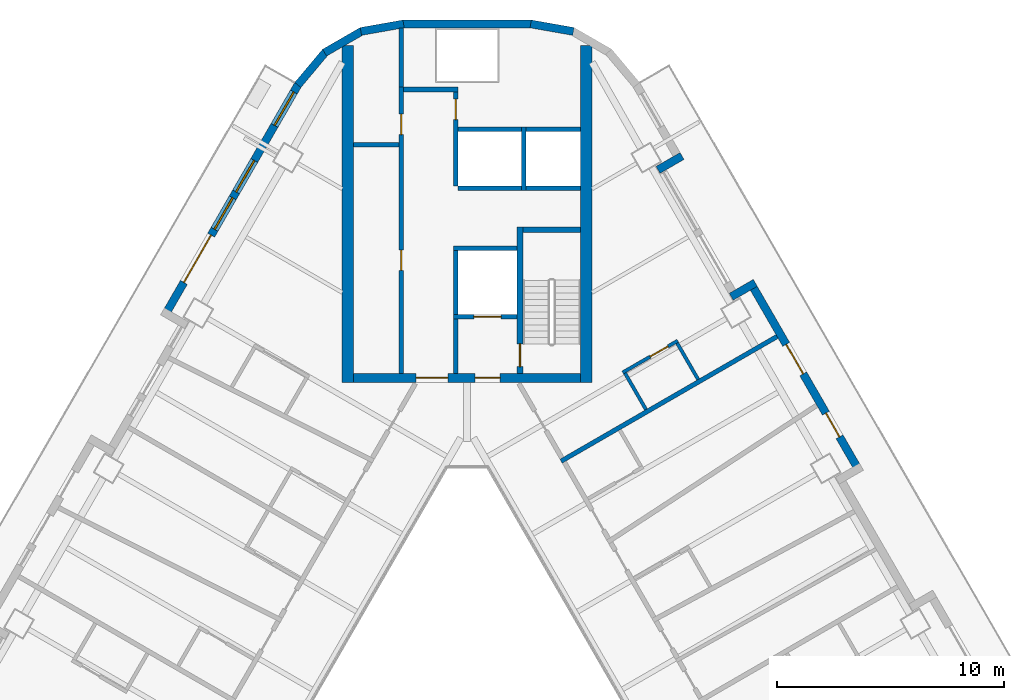
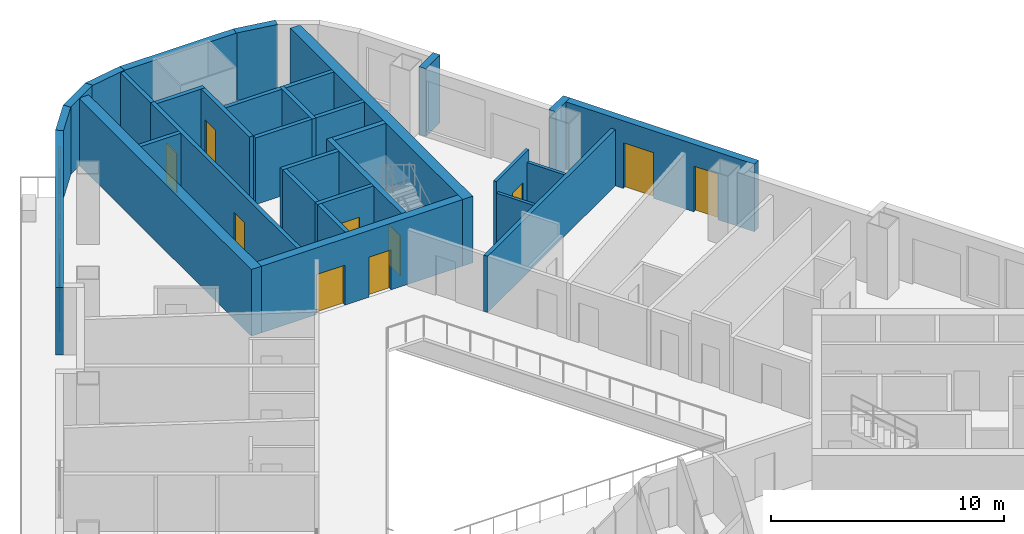
# One storey, part 7 of 14: 32 walls, 11 doors, 3 windows, 14 openings.
"""IFC4 building model written with IfcOpenShell, lengths in metres."""

from ifc_helpers import new_model, si_unit, direction, frame, frame_2d, origin, place, context, subcontext, project, spatial, rectangle, extrude, material, layer, layer_set, type_object, element, fill, save


model = new_model("IFC4")

# Units and contexts
model_context = context("Model", 3, precision=1e-05, world=origin(), true_north=direction((0.0, 1.0)))
body_context = subcontext(model_context, "Body", "Model", "MODEL_VIEW")
ifc_project = project(units=[si_unit("LENGTHUNIT", "METRE"), si_unit("AREAUNIT", "SQUARE_METRE"), si_unit("VOLUMEUNIT", "CUBIC_METRE"), si_unit("PLANEANGLEUNIT", "RADIAN"), si_unit("MASSUNIT", "GRAM", prefix="KILO")], contexts=[model_context])

# Site, building, storey
site_placement = place(None, origin())
site = spatial("IfcSite", under=ifc_project, at=site_placement, CompositionType="ELEMENT")
building_placement = place(site_placement, origin())
building = spatial("IfcBuilding", under=site, at=building_placement, Name="Apuvela Tower Hotel", CompositionType="ELEMENT")
storey_placement = place(building_placement, frame((0.0, 0.0, 50.199951171875)))
storey = spatial("IfcBuildingStorey", under=building, at=storey_placement, Name="L09", CompositionType="ELEMENT", Elevation=50.199951171875)

# Wall, openings, doors
ifc_material_1 = material(Name="Concrete C50/60", Category="concrete")
ifc_layer_1 = layer(ifc_material_1, 0.39990234375)
ifc_layer_set_1 = layer_set([ifc_layer_1], Name="COR-WALL-CORE-400")
wall_type_1 = type_object("IfcWallType", Name="COR-WALL-CORE-400", PredefinedType="SHEAR", material=ifc_layer_set_1)
wall_1_placement = place(storey_placement, frame((5.0, 13.10009765625, 0.0), z_axis=(0.0, 0.0, 1.0), x_axis=(-1.0, 0.0, 0.0)))
wall_1 = element("IfcWall", 1, at=wall_1_placement, inside=storey, type_object=wall_type_1, Name="Core wall N", PredefinedType="SHEAR", context=body_context, shape_type="SweptSolid", body=[
    extrude(rectangle(XDim=10.0, YDim=0.39990234375, at=frame_2d((5.0, 0.0))), origin(), (0.0, 0.0, 1.0), 3.5),
])
opening_1_placement = place(wall_1_placement, frame((3.550048828125, 0.0, 0.0)))
opening_1 = element("IfcOpeningElement", 2, at=opening_1_placement, cuts=wall_1, Name="Opening N-FD", PredefinedType="OPENING", context=body_context, shape_type="SweptSolid", body=[
    extrude(rectangle(XDim=1.10009765625, YDim=2.10009765625, at=frame_2d((0.550048828125, 1.050048828125))), frame((0.0, 0.2099609375, 0.0), z_axis=(0.0, -1.0, 0.0), x_axis=(1.0, 0.0, 0.0)), (0.0, 0.0, 1.0), 0.419921875),
])
opening_2_placement = place(wall_1_placement, frame((5.85009765625, 0.0, 0.0)))
opening_2 = element("IfcOpeningElement", 3, at=opening_2_placement, cuts=wall_1, Name="Opening N-GD", PredefinedType="OPENING", context=body_context, shape_type="SweptSolid", body=[
    extrude(rectangle(XDim=1.39990234375, YDim=2.10009765625, at=frame_2d((0.699951171875, 1.050048828125))), frame((0.0, 0.2099609375, 0.0), z_axis=(0.0, -1.0, 0.0), x_axis=(1.0, 0.0, 0.0)), (0.0, 0.0, 1.0), 0.419921875),
])
ifc_material_2 = material(Name="Steel fire door, powder coated", Category="steel")
door_type_1 = type_object("IfcDoorType", Name="COR-FD-1100", OperationType="NOTDEFINED", PredefinedType="DOOR", material=ifc_material_2)
door_1_placement = place(opening_1_placement, frame((1.10009765625, 0.0, 0.0), z_axis=(0.0, 0.0, 1.0), x_axis=(-1.0, 0.0, 0.0)))
door_1 = element("IfcDoor", 4, at=door_1_placement, inside=storey, type_object=door_type_1, Name="Firefighting lobby door N-FD", OperationType="SINGLE_SWING_LEFT", OverallHeight=2.10009765625, OverallWidth=1.10009765625, PredefinedType="DOOR", context=body_context, shape_type="SweptSolid", body=[
    extrude(rectangle(XDim=1.10009765625, YDim=2.10009765625, at=frame_2d((0.550048828125, 1.050048828125))), frame((0.0, 0.02490234375, 0.0), z_axis=(0.0, -1.0, 0.0), x_axis=(1.0, 0.0, 0.0)), (0.0, 0.0, 1.0), 0.050048828125),
])
fill(opening_1, door_1)
ifc_material_3 = material(Name="Glazed steel fire door", Category="steel")
door_type_2 = type_object("IfcDoorType", Name="COR-GD-1400", OperationType="DOUBLE_DOOR_SINGLE_SWING", PredefinedType="DOOR", material=ifc_material_3)
door_2_placement = place(opening_2_placement, frame((1.39990234375, 0.0, 0.0), z_axis=(0.0, 0.0, 1.0), x_axis=(-1.0, 0.0, 0.0)))
door_2 = element("IfcDoor", 5, at=door_2_placement, inside=storey, type_object=door_type_2, Name="Lift lobby door N-GD", OperationType="DOUBLE_DOOR_SINGLE_SWING", OverallHeight=2.10009765625, OverallWidth=1.39990234375, PredefinedType="DOOR", context=body_context, shape_type="SweptSolid", body=[
    extrude(rectangle(XDim=1.39990234375, YDim=2.10009765625, at=frame_2d((0.699951171875, 1.050048828125))), frame((0.0, 0.02490234375, 0.0), z_axis=(0.0, -1.0, 0.0), x_axis=(1.0, 0.0, 0.0)), (0.0, 0.0, 1.0), 0.050048828125),
])
fill(opening_2, door_2)

# Walls
ifc_layer_2 = layer(ifc_material_1, 0.5)
ifc_layer_set_2 = layer_set([ifc_layer_2], Name="COR-WALL-CORE-500")
wall_type_2 = type_object("IfcWallType", Name="COR-WALL-CORE-500", PredefinedType="SHEAR", material=ifc_layer_set_2)
for number, where, z_axis, x_axis, name in (
    (6, (5.25, 12.89990234375, 0.0), (0.0, 0.0, 1.0), (0.0, 1.0, 0.0), "Core wall N"),
    (7, (-5.25, 12.89990234375, 0.0), (0.0, 0.0, 1.0), (0.0, 1.0, 0.0), "Core wall N"),
):
    element("IfcWall", number, at=place(storey_placement, frame(where, z_axis=z_axis, x_axis=x_axis)), inside=storey, type_object=wall_type_2, Name=name, PredefinedType="SHEAR", context=body_context, shape_type="SweptSolid", body=[
        extrude(rectangle(XDim=14.8369140625, YDim=0.5, at=frame_2d((7.41845703125, 0.0))), origin(), (0.0, 0.0, 1.0), 3.5),
    ])
ifc_material_4 = material(Name="Blockwork 200 mm plastered", Category="masonry")
ifc_layer_3 = layer(ifc_material_4, 0.199951171875)
ifc_layer_set_3 = layer_set([ifc_layer_3], Name="COR-WALL-PART-200")
wall_type_3 = type_object("IfcWallType", Name="COR-WALL-PART-200", PredefinedType="PARTITIONING", material=ifc_layer_set_3)
wall_2_placement = place(storey_placement, frame((5.0, 21.449951171875, 0.0), z_axis=(0.0, 0.0, 1.0), x_axis=(-1.0, 0.0, 0.0)))
element("IfcWall", 8, at=wall_2_placement, inside=storey, type_object=wall_type_3, Name="Partition N", PredefinedType="PARTITIONING", context=body_context, shape_type="SweptSolid", body=[
    extrude(rectangle(XDim=2.39990234375, YDim=0.199951171875, at=frame_2d((1.199951171875, 0.0))), origin(), (0.0, 0.0, 1.0), 3.5),
])
wall_3_placement = place(storey_placement, frame((2.39990234375, 21.449951171875, 0.0), z_axis=(0.0, 0.0, 1.0), x_axis=(-1.0, 0.0, 0.0)))
element("IfcWall", 9, at=wall_3_placement, inside=storey, type_object=wall_type_3, Name="Partition N", PredefinedType="PARTITIONING", context=body_context, shape_type="SweptSolid", body=[
    extrude(rectangle(XDim=2.7998046875, YDim=0.199951171875, at=frame_2d((1.39990234375, 0.0))), origin(), (0.0, 0.0, 1.0), 3.5),
])
ifc_layer_4 = layer(ifc_material_1, 0.199951171875)
ifc_layer_set_4 = layer_set([ifc_layer_4], Name="COR-WALL-SHAFT-200")
wall_type_4 = type_object("IfcWallType", Name="COR-WALL-SHAFT-200", PredefinedType="SHEAR", material=ifc_layer_set_4)
wall_4_placement = place(storey_placement, frame((2.199951171875, 18.800048828125, 0.0), z_axis=(0.0, 0.0, 1.0), x_axis=(-1.0, 0.0, 0.0)))
element("IfcWall", 10, at=wall_4_placement, inside=storey, type_object=wall_type_4, Name="Shaft wall N", PredefinedType="SHEAR", context=body_context, shape_type="SweptSolid", body=[
    extrude(rectangle(XDim=2.800048828125, YDim=0.199951171875, at=frame_2d((1.39990234375, 0.0))), origin(), (0.0, 0.0, 1.0), 3.5),
])

# Wall, opening, door
wall_5_placement = place(storey_placement, frame((2.199951171875, 15.800048828125, 0.0), z_axis=(0.0, 0.0, 1.0), x_axis=(-1.0, 0.0, 0.0)))
wall_5 = element("IfcWall", 11, at=wall_5_placement, inside=storey, type_object=wall_type_4, Name="Shaft wall N", PredefinedType="SHEAR", context=body_context, shape_type="SweptSolid", body=[
    extrude(rectangle(XDim=2.800048828125, YDim=0.199951171875, at=frame_2d((1.39990234375, 0.0))), origin(), (0.0, 0.0, 1.0), 3.5),
])
opening_3_placement = place(wall_5_placement, frame((0.699951171875, 0.0, 0.0)))
opening_3 = element("IfcOpeningElement", 12, at=opening_3_placement, cuts=wall_5, Name="Opening N-LD-FS1", PredefinedType="OPENING", context=body_context, shape_type="SweptSolid", body=[
    extrude(rectangle(XDim=1.199951171875, YDim=2.10009765625, at=frame_2d((0.60009765625, 1.050048828125))), frame((0.0, 0.10986328125, 0.0), z_axis=(0.0, -1.0, 0.0), x_axis=(1.0, 0.0, 0.0)), (0.0, 0.0, 1.0), 0.219970703125),
])
ifc_material_5 = material(Name="Stainless steel lift landing door", Category="steel")
door_type_3 = type_object("IfcDoorType", Name="COR-LD-1200", OperationType="DOUBLE_DOOR_SLIDING", PredefinedType="DOOR", material=ifc_material_5)
door_3_placement = place(opening_3_placement, origin())
door_3 = element("IfcDoor", 13, at=door_3_placement, inside=storey, type_object=door_type_3, Name="Lift landing door N-LD-FS1", OperationType="DOUBLE_DOOR_SLIDING", OverallHeight=2.10009765625, OverallWidth=1.199951171875, PredefinedType="DOOR", context=body_context, shape_type="SweptSolid", body=[
    extrude(rectangle(XDim=1.199951171875, YDim=2.10009765625, at=frame_2d((0.60009765625, 1.050048828125))), frame((0.0, 0.02490234375, 0.0), z_axis=(0.0, -1.0, 0.0), x_axis=(1.0, 0.0, 0.0)), (0.0, 0.0, 1.0), 0.050048828125),
])
fill(opening_3, door_3)

# Walls
wall_6_placement = place(storey_placement, frame((-0.5, 15.89990234375, 0.0), z_axis=(0.0, 0.0, 1.0), x_axis=(0.0, 1.0, 0.0)))
element("IfcWall", 14, at=wall_6_placement, inside=storey, type_object=wall_type_4, Name="Shaft wall N", PredefinedType="SHEAR", context=body_context, shape_type="SweptSolid", body=[
    extrude(rectangle(XDim=2.800048828125, YDim=0.199951171875, at=frame_2d((1.39990234375, 0.0))), origin(), (0.0, 0.0, 1.0), 3.5),
])
wall_7_placement = place(storey_placement, frame((-0.5, 13.300048828125, 0.0), z_axis=(0.0, 0.0, 1.0), x_axis=(0.0, 1.0, 0.0)))
element("IfcWall", 15, at=wall_7_placement, inside=storey, type_object=wall_type_4, Name="Shaft wall N", PredefinedType="SHEAR", context=body_context, shape_type="SweptSolid", body=[
    extrude(rectangle(XDim=2.39990234375, YDim=0.199951171875, at=frame_2d((1.199951171875, 0.0))), origin(), (0.0, 0.0, 1.0), 3.5),
])

# Wall, openings, doors
wall_8_placement = place(storey_placement, frame((-2.89990234375, 13.300048828125, 0.0), z_axis=(0.0, 0.0, 1.0), x_axis=(0.0, 1.0, 0.0)))
wall_8 = element("IfcWall", 16, at=wall_8_placement, inside=storey, type_object=wall_type_4, Name="Shaft wall N", PredefinedType="SHEAR", context=body_context, shape_type="SweptSolid", body=[
    extrude(rectangle(XDim=12.599853515625, YDim=0.199951171875, at=frame_2d((6.2998046875, 0.0))), origin(), (0.0, 0.0, 1.0), 3.5),
])
opening_4_placement = place(wall_8_placement, frame((4.530029296875, 0.0, 0.0)))
opening_4 = element("IfcOpeningElement", 17, at=opening_4_placement, cuts=wall_8, Name="Opening N-RE1", PredefinedType="OPENING", context=body_context, shape_type="SweptSolid", body=[
    extrude(rectangle(XDim=0.89990234375, YDim=2.10009765625, at=frame_2d((0.449951171875, 1.050048828125))), frame((0.0, 0.10986328125, 0.0), z_axis=(0.0, -1.0, 0.0), x_axis=(1.0, 0.0, 0.0)), (0.0, 0.0, 1.0), 0.219970703125),
])
opening_5_placement = place(wall_8_placement, frame((10.510009765625, 0.0, 0.0)))
opening_5 = element("IfcOpeningElement", 18, at=opening_5_placement, cuts=wall_8, Name="Opening N-REP", PredefinedType="OPENING", context=body_context, shape_type="SweptSolid", body=[
    extrude(rectangle(XDim=0.89990234375, YDim=2.10009765625, at=frame_2d((0.449951171875, 1.050048828125))), frame((0.0, 0.10986328125, 0.0), z_axis=(0.0, -1.0, 0.0), x_axis=(1.0, 0.0, 0.0)), (0.0, 0.0, 1.0), 0.219970703125),
])
door_type_4 = type_object("IfcDoorType", Name="COR-DR-900", OperationType="NOTDEFINED", PredefinedType="DOOR", material=ifc_material_2)
door_4_placement = place(opening_4_placement, origin())
door_4 = element("IfcDoor", 19, at=door_4_placement, inside=storey, type_object=door_type_4, Name="Store door N-RE1", OperationType="SINGLE_SWING_LEFT", OverallHeight=2.10009765625, OverallWidth=0.89990234375, PredefinedType="DOOR", context=body_context, shape_type="SweptSolid", body=[
    extrude(rectangle(XDim=0.89990234375, YDim=2.10009765625, at=frame_2d((0.449951171875, 1.050048828125))), frame((0.0, 0.02490234375, 0.0), z_axis=(0.0, -1.0, 0.0), x_axis=(1.0, 0.0, 0.0)), (0.0, 0.0, 1.0), 0.050048828125),
])
fill(opening_4, door_4)
door_5_placement = place(opening_5_placement, origin())
door_5 = element("IfcDoor", 20, at=door_5_placement, inside=storey, type_object=door_type_4, Name="Store door N-REP", OperationType="SINGLE_SWING_RIGHT", OverallHeight=2.10009765625, OverallWidth=0.89990234375, PredefinedType="DOOR", context=body_context, shape_type="SweptSolid", body=[
    extrude(rectangle(XDim=0.89990234375, YDim=2.10009765625, at=frame_2d((0.449951171875, 1.050048828125))), frame((0.0, 0.02490234375, 0.0), z_axis=(0.0, -1.0, 0.0), x_axis=(1.0, 0.0, 0.0)), (0.0, 0.0, 1.0), 0.050048828125),
])
fill(opening_5, door_5)

# Wall
wall_9_placement = place(storey_placement, frame((-0.39990234375, 25.800048828125, 0.0), z_axis=(0.0, 0.0, 1.0), x_axis=(-1.0, 0.0, 0.0)))
element("IfcWall", 21, at=wall_9_placement, inside=storey, type_object=wall_type_4, Name="Shaft wall N", PredefinedType="SHEAR", context=body_context, shape_type="SweptSolid", body=[
    extrude(rectangle(XDim=2.400146484375, YDim=0.199951171875, at=frame_2d((1.2001953125, 0.0))), origin(), (0.0, 0.0, 1.0), 3.5),
])

# Wall, opening, door
wall_10_placement = place(storey_placement, frame((-0.5, 21.550048828125, 0.0), z_axis=(0.0, 0.0, 1.0), x_axis=(0.0, 1.0, 0.0)))
wall_10 = element("IfcWall", 22, at=wall_10_placement, inside=storey, type_object=wall_type_4, Name="Shaft wall N", PredefinedType="SHEAR", context=body_context, shape_type="SweptSolid", body=[
    extrude(rectangle(XDim=4.14990234375, YDim=0.199951171875, at=frame_2d((2.074951171875, 0.0))), origin(), (0.0, 0.0, 1.0), 3.5),
])
opening_6_placement = place(wall_10_placement, frame((2.925048828125, 0.0, 0.0)))
opening_6 = element("IfcOpeningElement", 23, at=opening_6_placement, cuts=wall_10, Name="Opening N-RSP", PredefinedType="OPENING", context=body_context, shape_type="SweptSolid", body=[
    extrude(rectangle(XDim=0.89990234375, YDim=2.10009765625, at=frame_2d((0.449951171875, 1.050048828125))), frame((0.0, 0.10986328125, 0.0), z_axis=(0.0, -1.0, 0.0), x_axis=(1.0, 0.0, 0.0)), (0.0, 0.0, 1.0), 0.219970703125),
])
door_6_placement = place(opening_6_placement, frame((0.89990234375, 0.0, 0.0), z_axis=(0.0, 0.0, 1.0), x_axis=(-1.0, 0.0, 0.0)))
door_6 = element("IfcDoor", 24, at=door_6_placement, inside=storey, type_object=door_type_4, Name="Store door N-RSP", OperationType="SINGLE_SWING_LEFT", OverallHeight=2.10009765625, OverallWidth=0.89990234375, PredefinedType="DOOR", context=body_context, shape_type="SweptSolid", body=[
    extrude(rectangle(XDim=0.89990234375, YDim=2.10009765625, at=frame_2d((0.449951171875, 1.050048828125))), frame((0.0, 0.02490234375, 0.0), z_axis=(0.0, -1.0, 0.0), x_axis=(1.0, 0.0, 0.0)), (0.0, 0.0, 1.0), 0.050048828125),
])
fill(opening_6, door_6)

# Walls
wall_11_placement = place(storey_placement, frame((-3.0, 23.360107421875, 0.0), z_axis=(0.0, 0.0, 1.0), x_axis=(-1.0, 0.0, 0.0)))
element("IfcWall", 25, at=wall_11_placement, inside=storey, type_object=wall_type_4, Name="Shaft wall N", PredefinedType="SHEAR", context=body_context, shape_type="SweptSolid", body=[
    extrude(rectangle(XDim=2.0, YDim=0.199951171875, at=frame_2d((1.0, 0.0))), origin(), (0.0, 0.0, 1.0), 3.5),
])
wall_12_placement = place(storey_placement, frame((-2.89990234375, 25.89990234375, 0.0), z_axis=(0.0, 0.0, 1.0), x_axis=(0.0, 1.0, 0.0)))
element("IfcWall", 26, at=wall_12_placement, inside=storey, type_object=wall_type_4, Name="Shaft wall N", PredefinedType="SHEAR", context=body_context, shape_type="SweptSolid", body=[
    extrude(rectangle(XDim=2.60009765625, YDim=0.199951171875, at=frame_2d((1.300048828125, 0.0))), origin(), (0.0, 0.0, 1.0), 3.5),
])
wall_13_placement = place(storey_placement, frame((2.5, 21.35009765625, 0.0), z_axis=(0.0, 0.0, 1.0), x_axis=(0.0, 1.0, 0.0)))
element("IfcWall", 27, at=wall_13_placement, inside=storey, type_object=wall_type_4, Name="Shaft wall N", PredefinedType="SHEAR", context=body_context, shape_type="SweptSolid", body=[
    extrude(rectangle(XDim=2.7998046875, YDim=0.199951171875, at=frame_2d((1.39990234375, 0.0))), origin(), (0.0, 0.0, 1.0), 3.5),
])
wall_14_placement = place(storey_placement, frame((5.0, 24.050048828125, 0.0), z_axis=(0.0, 0.0, 1.0), x_axis=(-1.0, 0.0, 0.0)))
element("IfcWall", 28, at=wall_14_placement, inside=storey, type_object=wall_type_4, Name="Shaft wall N", PredefinedType="SHEAR", context=body_context, shape_type="SweptSolid", body=[
    extrude(rectangle(XDim=2.39990234375, YDim=0.199951171875, at=frame_2d((1.199951171875, 0.0))), origin(), (0.0, 0.0, 1.0), 3.5),
])
wall_15_placement = place(storey_placement, frame((2.39990234375, 24.050048828125, 0.0), z_axis=(0.0, 0.0, 1.0), x_axis=(-1.0, 0.0, 0.0)))
element("IfcWall", 29, at=wall_15_placement, inside=storey, type_object=wall_type_4, Name="Shaft wall N", PredefinedType="SHEAR", context=body_context, shape_type="SweptSolid", body=[
    extrude(rectangle(XDim=2.7998046875, YDim=0.199951171875, at=frame_2d((1.39990234375, 0.0))), origin(), (0.0, 0.0, 1.0), 3.5),
])

# Wall, opening, door
ifc_layer_5 = layer(ifc_material_1, 0.25)
ifc_layer_set_5 = layer_set([ifc_layer_5], Name="COR-WALL-STAIR-250")
wall_type_5 = type_object("IfcWallType", Name="COR-WALL-STAIR-250", PredefinedType="SHEAR", material=ifc_layer_set_5)
wall_16_placement = place(storey_placement, frame((2.324951171875, 13.300048828125, 0.0), z_axis=(0.0, 0.0, 1.0), x_axis=(0.0, 1.0, 0.0)))
wall_16 = element("IfcWall", 30, at=wall_16_placement, inside=storey, type_object=wall_type_5, Name="Stair wall N", PredefinedType="SHEAR", context=body_context, shape_type="SweptSolid", body=[
    extrude(rectangle(XDim=6.449951171875, YDim=0.25, at=frame_2d((3.22509765625, 0.0))), origin(), (0.0, 0.0, 1.0), 3.5),
])
opening_7_placement = place(wall_16_placement, frame((0.300048828125, 0.0, 0.0)))
opening_7 = element("IfcOpeningElement", 31, at=opening_7_placement, cuts=wall_16, Name="Opening N-SD", PredefinedType="OPENING", context=body_context, shape_type="SweptSolid", body=[
    extrude(rectangle(XDim=1.0, YDim=2.10009765625, at=frame_2d((0.5, 1.050048828125))), frame((0.0, 0.135009765625, 0.0), z_axis=(0.0, -1.0, 0.0), x_axis=(1.0, 0.0, 0.0)), (0.0, 0.0, 1.0), 0.27001953125),
])
door_type_5 = type_object("IfcDoorType", Name="COR-SD-1000", OperationType="NOTDEFINED", PredefinedType="DOOR", material=ifc_material_2)
door_7_placement = place(opening_7_placement, frame((1.0, 0.0, 0.0), z_axis=(0.0, 0.0, 1.0), x_axis=(-1.0, 0.0, 0.0)))
door_7 = element("IfcDoor", 32, at=door_7_placement, inside=storey, type_object=door_type_5, Name="Stair door N-SD", OperationType="SINGLE_SWING_LEFT", OverallHeight=2.10009765625, OverallWidth=1.0, PredefinedType="DOOR", context=body_context, shape_type="SweptSolid", body=[
    extrude(rectangle(XDim=1.0, YDim=2.10009765625, at=frame_2d((0.5, 1.050048828125))), frame((0.0, 0.02490234375, 0.0), z_axis=(0.0, -1.0, 0.0), x_axis=(1.0, 0.0, 0.0)), (0.0, 0.0, 1.0), 0.050048828125),
])
fill(opening_7, door_7)

# Wall
wall_17_placement = place(storey_placement, frame((5.0, 19.625, 0.0), z_axis=(0.0, 0.0, 1.0), x_axis=(-1.0, 0.0, 0.0)))
element("IfcWall", 33, at=wall_17_placement, inside=storey, type_object=wall_type_5, Name="Stair wall N", PredefinedType="SHEAR", context=body_context, shape_type="SweptSolid", body=[
    extrude(rectangle(XDim=2.550048828125, YDim=0.25, at=frame_2d((1.27490234375, 0.0))), origin(), (0.0, 0.0, 1.0), 3.5),
])

# Wall, openings, door, windows
ifc_material_6 = material(Name="Concrete C40/50, dark pigmented precast panel", Category="concrete")
ifc_layer_6 = layer(ifc_material_6, 0.35009765625)
ifc_layer_set_6 = layer_set([ifc_layer_6], Name="ENV-WALL-350")
wall_type_6 = type_object("IfcWallType", Name="ENV-WALL-350", PredefinedType="SOLIDWALL", material=ifc_layer_set_6)
wall_18_placement = place(storey_placement, frame((-7.440673828125, 26.0224609375, 0.0), z_axis=(0.0, 0.0, 1.0), x_axis=(-0.499992533062, -0.86602971478, 0.0)))
wall_18 = element("IfcWall", 34, at=wall_18_placement, inside=storey, type_object=wall_type_6, Name="External wall L09-01", PredefinedType="SOLIDWALL", context=body_context, shape_type="SweptSolid", body=[
    extrude(rectangle(XDim=11.815673828125, YDim=0.35009765625, at=frame_2d((5.90771484375, 0.0))), origin(), (0.0, 0.0, 1.0), 3.550048828125),
])
opening_8_placement = place(wall_18_placement, frame((0.381103515625, 0.0, 0.300048828125)))
opening_8 = element("IfcOpeningElement", 35, at=opening_8_placement, cuts=wall_18, Name="Opening WN17", PredefinedType="OPENING", context=body_context, shape_type="SweptSolid", body=[
    extrude(rectangle(XDim=1.699951171875, YDim=2.64990234375, at=frame_2d((0.85009765625, 1.324951171875))), frame((0.0, 0.18505859375, 0.0), z_axis=(0.0, -1.0, 0.0), x_axis=(1.0, 0.0, 0.0)), (0.0, 0.0, 1.0), 0.3701171875),
])
opening_9_placement = place(wall_18_placement, frame((7.66552734375, 0.0, 0.0)))
opening_9 = element("IfcOpeningElement", 36, at=opening_9_placement, cuts=wall_18, Name="Opening BD24", PredefinedType="OPENING", context=body_context, shape_type="SweptSolid", body=[
    extrude(rectangle(XDim=2.39990234375, YDim=2.39990234375, at=frame_2d((1.199951171875, 1.199951171875))), frame((0.0, 0.18505859375, 0.0), z_axis=(0.0, -1.0, 0.0), x_axis=(1.0, 0.0, 0.0)), (0.0, 0.0, 1.0), 0.3701171875),
])
opening_10_placement = place(wall_18_placement, frame((3.865478515625, 0.0, 0.300048828125)))
opening_10 = element("IfcOpeningElement", 37, at=opening_10_placement, cuts=wall_18, Name="Opening WN16", PredefinedType="OPENING", context=body_context, shape_type="SweptSolid", body=[
    extrude(rectangle(XDim=1.60009765625, YDim=2.64990234375, at=frame_2d((0.800048828125, 1.324951171875))), frame((0.0, 0.18505859375, 0.0), z_axis=(0.0, -1.0, 0.0), x_axis=(1.0, 0.0, 0.0)), (0.0, 0.0, 1.0), 0.3701171875),
])
opening_11_placement = place(wall_18_placement, frame((5.765380859375, 0.0, 0.300048828125)))
opening_11 = element("IfcOpeningElement", 38, at=opening_11_placement, cuts=wall_18, Name="Opening WN16", PredefinedType="OPENING", context=body_context, shape_type="SweptSolid", body=[
    extrude(rectangle(XDim=1.60009765625, YDim=2.64990234375, at=frame_2d((0.800048828125, 1.324951171875))), frame((0.0, 0.18505859375, 0.0), z_axis=(0.0, -1.0, 0.0), x_axis=(1.0, 0.0, 0.0)), (0.0, 0.0, 1.0), 0.3701171875),
])
ifc_material_7 = material(Name="Aluminium 6063-T6, dark bronze anodised frame with dark tinted laminated glass", Category="aluminium")
door_type_6 = type_object("IfcDoorType", Name="ENV-DOOR-BALCONY-2400x2400", OperationType="SLIDING_TO_LEFT", PredefinedType="DOOR", material=ifc_material_7)
door_8_placement = place(opening_9_placement, frame((2.39990234375, 0.0, 0.0), z_axis=(0.0, 0.0, 1.0), x_axis=(-1.0, 0.0, 0.0)))
door_8 = element("IfcDoor", 39, at=door_8_placement, inside=storey, type_object=door_type_6, Name="Balcony door BD24", OperationType="SLIDING_TO_LEFT", OverallHeight=2.39990234375, OverallWidth=2.39990234375, PredefinedType="DOOR", context=body_context, shape_type="SweptSolid", body=[
    extrude(rectangle(XDim=2.39990234375, YDim=2.39990234375, at=frame_2d((1.199951171875, 1.199951171875))), frame((0.0, 0.02490234375, 0.0), z_axis=(0.0, -1.0, 0.0), x_axis=(1.0, 0.0, 0.0)), (0.0, 0.0, 1.0), 0.050048828125),
])
fill(opening_9, door_8)
ifc_material_8 = material(Name="Glass, dark tinted laminated insulated glazing unit", Category="glass")
window_type_1 = type_object("IfcWindowType", Name="ENV-WIN-1600x2650", PartitioningType="SINGLE_PANEL", PredefinedType="WINDOW", material=ifc_material_8)
window_1_placement = place(opening_10_placement, origin())
window_1 = element("IfcWindow", 40, at=window_1_placement, inside=storey, type_object=window_type_1, Name="Window WN16", OverallHeight=2.64990234375, OverallWidth=1.60009765625, PartitioningType="SINGLE_PANEL", PredefinedType="WINDOW", context=body_context, shape_type="SweptSolid", body=[
    extrude(rectangle(XDim=1.60009765625, YDim=2.64990234375, at=frame_2d((0.800048828125, 1.324951171875))), frame((0.0, 0.030029296875, 0.0), z_axis=(0.0, -1.0, 0.0), x_axis=(1.0, 0.0, 0.0)), (0.0, 0.0, 1.0), 0.06005859375),
])
fill(opening_10, window_1)
window_2_placement = place(opening_11_placement, origin())
window_2 = element("IfcWindow", 41, at=window_2_placement, inside=storey, type_object=window_type_1, Name="Window WN16", OverallHeight=2.64990234375, OverallWidth=1.60009765625, PartitioningType="SINGLE_PANEL", PredefinedType="WINDOW", context=body_context, shape_type="SweptSolid", body=[
    extrude(rectangle(XDim=1.60009765625, YDim=2.64990234375, at=frame_2d((0.800048828125, 1.324951171875))), frame((0.0, 0.030029296875, 0.0), z_axis=(0.0, -1.0, 0.0), x_axis=(1.0, 0.0, 0.0)), (0.0, 0.0, 1.0), 0.06005859375),
])
fill(opening_11, window_2)
window_type_2 = type_object("IfcWindowType", Name="ENV-WIN-1700x2650", PartitioningType="SINGLE_PANEL", PredefinedType="WINDOW", material=ifc_material_8)
window_3_placement = place(opening_8_placement, origin())
window_3 = element("IfcWindow", 42, at=window_3_placement, inside=storey, type_object=window_type_2, Name="Window WN17", OverallHeight=2.64990234375, OverallWidth=1.699951171875, PartitioningType="SINGLE_PANEL", PredefinedType="WINDOW", context=body_context, shape_type="SweptSolid", body=[
    extrude(rectangle(XDim=1.699951171875, YDim=2.64990234375, at=frame_2d((0.85009765625, 1.324951171875))), frame((0.0, 0.030029296875, 0.0), z_axis=(0.0, -1.0, 0.0), x_axis=(1.0, 0.0, 0.0)), (0.0, 0.0, 1.0), 0.06005859375),
])
fill(opening_8, window_3)

# Wall, openings, doors
wall_19_placement = place(storey_placement, frame((17.298583984375, 8.947998046875, 0.0), z_axis=(0.0, 0.0, 1.0), x_axis=(-0.500010041276, 0.866019606374, 0.0)))
wall_19 = element("IfcWall", 43, at=wall_19_placement, inside=storey, type_object=wall_type_6, Name="External wall L09-37", PredefinedType="SOLIDWALL", context=body_context, shape_type="SweptSolid", body=[
    extrude(rectangle(XDim=9.699951171875, YDim=0.35009765625, at=frame_2d((4.85009765625, 0.0))), origin(), (0.0, 0.0, 1.0), 3.550048828125),
])
opening_12_placement = place(wall_19_placement, frame((1.7998046875, 0.0, 0.0)))
opening_12 = element("IfcOpeningElement", 44, at=opening_12_placement, cuts=wall_19, Name="Opening BD12", PredefinedType="OPENING", context=body_context, shape_type="SweptSolid", body=[
    extrude(rectangle(XDim=1.199951171875, YDim=2.39990234375, at=frame_2d((0.60009765625, 1.199951171875))), frame((0.0, 0.18505859375, 0.0), z_axis=(0.0, -1.0, 0.0), x_axis=(1.0, 0.0, 0.0)), (0.0, 0.0, 1.0), 0.3701171875),
])
opening_13_placement = place(wall_19_placement, frame((4.99951171875, 0.0, 0.0)))
opening_13 = element("IfcOpeningElement", 45, at=opening_13_placement, cuts=wall_19, Name="Opening BD15", PredefinedType="OPENING", context=body_context, shape_type="SweptSolid", body=[
    extrude(rectangle(XDim=1.5, YDim=2.39990234375, at=frame_2d((0.75, 1.199951171875))), frame((0.0, 0.18505859375, 0.0), z_axis=(0.0, -1.0, 0.0), x_axis=(1.0, 0.0, 0.0)), (0.0, 0.0, 1.0), 0.3701171875),
])
door_type_7 = type_object("IfcDoorType", Name="ENV-DOOR-BALCONY-1200x2400", OperationType="SLIDING_TO_LEFT", PredefinedType="DOOR", material=ifc_material_7)
door_9_placement = place(opening_12_placement, frame((1.199951171875, 0.0, 0.0), z_axis=(0.0, 0.0, 1.0), x_axis=(-1.0, 0.0, 0.0)))
door_9 = element("IfcDoor", 46, at=door_9_placement, inside=storey, type_object=door_type_7, Name="Balcony door BD12", OperationType="SLIDING_TO_LEFT", OverallHeight=2.39990234375, OverallWidth=1.199951171875, PredefinedType="DOOR", context=body_context, shape_type="SweptSolid", body=[
    extrude(rectangle(XDim=1.199951171875, YDim=2.39990234375, at=frame_2d((0.60009765625, 1.199951171875))), frame((0.0, 0.02490234375, 0.0), z_axis=(0.0, -1.0, 0.0), x_axis=(1.0, 0.0, 0.0)), (0.0, 0.0, 1.0), 0.050048828125),
])
fill(opening_12, door_9)
door_type_8 = type_object("IfcDoorType", Name="ENV-DOOR-BALCONY-1500x2400", OperationType="SLIDING_TO_LEFT", PredefinedType="DOOR", material=ifc_material_7)
door_10_placement = place(opening_13_placement, frame((1.5, 0.0, 0.0), z_axis=(0.0, 0.0, 1.0), x_axis=(-1.0, 0.0, 0.0)))
door_10 = element("IfcDoor", 47, at=door_10_placement, inside=storey, type_object=door_type_8, Name="Balcony door BD15", OperationType="SLIDING_TO_LEFT", OverallHeight=2.39990234375, OverallWidth=1.5, PredefinedType="DOOR", context=body_context, shape_type="SweptSolid", body=[
    extrude(rectangle(XDim=1.5, YDim=2.39990234375, at=frame_2d((0.75, 1.199951171875))), frame((0.0, 0.02490234375, 0.0), z_axis=(0.0, -1.0, 0.0), x_axis=(1.0, 0.0, 0.0)), (0.0, 0.0, 1.0), 0.050048828125),
])
fill(opening_13, door_10)

# Walls
for number, where, z_axis, x_axis, name in (
    (48, (12.6875, 17.284423828125, 0.0), (0.0, 0.0, 1.0), (-0.865955602162, -0.500120880472, 0.0), "External wall L09-38"),
    (49, (8.406005859375, 22.26025390625, 0.0), (0.0, 0.0, 1.0), (0.865955602162, 0.500120880472, 0.0), "External wall L09-40"),
):
    element("IfcWall", number, at=place(storey_placement, frame(where, z_axis=z_axis, x_axis=x_axis)), inside=storey, type_object=wall_type_6, Name=name, PredefinedType="SOLIDWALL", context=body_context, shape_type="SweptSolid", body=[
        extrude(rectangle(XDim=1.219970703125, YDim=0.35009765625, at=frame_2d((0.60986328125, 0.0))), origin(), (0.0, 0.0, 1.0), 3.550048828125),
    ])
wall_20_placement = place(storey_placement, frame((4.6796875, 28.35595703125, 0.0), z_axis=(0.0, 0.0, 1.0), x_axis=(-0.984798995425, 0.173697837091, 0.0)))
element("IfcWall", 50, at=wall_20_placement, inside=storey, type_object=wall_type_6, Name="External wall L09-44", PredefinedType="SOLIDWALL", context=body_context, shape_type="SweptSolid", body=[
    extrude(rectangle(XDim=1.91015625, YDim=0.35009765625, at=frame_2d((0.955078125, 0.0))), origin(), (0.0, 0.0, 1.0), 3.550048828125),
])
wall_21_placement = place(storey_placement, frame((2.8291015625, 28.68505859375, 0.0), z_axis=(0.0, 0.0, 1.0), x_axis=(-1.0, 0.0, 0.0)))
element("IfcWall", 51, at=wall_21_placement, inside=storey, type_object=wall_type_6, Name="External wall L09-45", PredefinedType="SOLIDWALL", context=body_context, shape_type="SweptSolid", body=[
    extrude(rectangle(XDim=5.658203125, YDim=0.35009765625, at=frame_2d((2.8291015625, 0.0))), origin(), (0.0, 0.0, 1.0), 3.550048828125),
])
for number, where, z_axis, x_axis, name in (
    (52, (-2.798583984375, 28.687744140625, 0.0), (0.0, 0.0, 1.0), (-0.984798995425, -0.173697837091, 0.0), "External wall L09-46"),
    (53, (-4.62255859375, 28.376708984375, 0.0), (0.0, 0.0, 1.0), (-0.866032345022, -0.499987977232, 0.0), "External wall L09-47"),
):
    element("IfcWall", number, at=place(storey_placement, frame(where, z_axis=z_axis, x_axis=x_axis)), inside=storey, type_object=wall_type_6, Name=name, PredefinedType="SOLIDWALL", context=body_context, shape_type="SweptSolid", body=[
        extrude(rectangle(XDim=1.91015625, YDim=0.35009765625, at=frame_2d((0.955078125, 0.0))), origin(), (0.0, 0.0, 1.0), 3.550048828125),
    ])
wall_22_placement = place(storey_placement, frame((-6.230224609375, 27.460693359375, 0.0), z_axis=(0.0, 0.0, 1.0), x_axis=(-0.642808304945, -0.766027077259, 0.0)))
element("IfcWall", 54, at=wall_22_placement, inside=storey, type_object=wall_type_6, Name="External wall L09-48", PredefinedType="SOLIDWALL", context=body_context, shape_type="SweptSolid", body=[
    extrude(rectangle(XDim=1.909912109375, YDim=0.35009765625, at=frame_2d((0.955078125, 0.0))), origin(), (0.0, 0.0, 1.0), 3.550048828125),
])
ifc_material_9 = material(Name="Gypsum board partition on twin steel stud", Category="steel")
ifc_layer_7 = layer(ifc_material_9, 0.199951171875)
ifc_layer_set_7 = layer_set([ifc_layer_7], Name="GST-PW1")
wall_type_7 = type_object("IfcWallType", Name="GST-PW1", PredefinedType="PARTITIONING", material=ifc_layer_set_7)
wall_23_placement = place(storey_placement, frame((13.64697265625, 14.9228515625, 0.0), z_axis=(0.0, 0.0, 1.0), x_axis=(-0.866027479907, -0.499996404033, 0.0)))
element("IfcWall", 55, at=wall_23_placement, inside=storey, type_object=wall_type_7, Name="L09 partition 07", PredefinedType="PARTITIONING", context=body_context, shape_type="SweptSolid", body=[
    extrude(rectangle(XDim=10.97998046875, YDim=0.199951171875, at=frame_2d((5.489990234375, 0.0))), origin(), (0.0, 0.0, 1.0), 2.9599609375),
])

# Wall, opening, door
ifc_material_10 = material(Name="Moisture-resistant gypsum board wet wall on steel stud", Category="steel")
ifc_layer_8 = layer(ifc_material_10, 0.14990234375)
ifc_layer_set_8 = layer_set([ifc_layer_8], Name="GST-PW3")
wall_type_8 = type_object("IfcWallType", Name="GST-PW3", PredefinedType="PARTITIONING", material=ifc_layer_set_8)
wall_24_placement = place(storey_placement, frame((9.2744140625, 14.736572265625, 0.0), z_axis=(0.0, 0.0, 1.0), x_axis=(-0.866018616679, -0.500011755427, 0.0)))
wall_24 = element("IfcWall", 56, at=wall_24_placement, inside=storey, type_object=wall_type_8, Name="L09 partition 40", PredefinedType="PARTITIONING", context=body_context, shape_type="SweptSolid", body=[
    extrude(rectangle(XDim=2.80029296875, YDim=0.14990234375, at=frame_2d((1.400146484375, 0.0))), origin(), (0.0, 0.0, 1.0), 3.550048828125),
])
opening_14_placement = place(wall_24_placement, frame((0.5, 0.0, 0.0)))
opening_14 = element("IfcOpeningElement", 57, at=opening_14_placement, cuts=wall_24, Name="Opening GD01-17", PredefinedType="OPENING", context=body_context, shape_type="SweptSolid", body=[
    extrude(rectangle(XDim=0.89990234375, YDim=2.10009765625, at=frame_2d((0.449951171875, 1.050048828125))), frame((0.0, 0.0849609375, 0.0), z_axis=(0.0, -1.0, 0.0), x_axis=(1.0, 0.0, 0.0)), (0.0, 0.0, 1.0), 0.169921875),
])
ifc_material_11 = material(Name="Timber door leaf in steel frame", Category="steel")
door_type_9 = type_object("IfcDoorType", Name="GST-D2", OperationType="NOTDEFINED", PredefinedType="DOOR", material=ifc_material_11)
door_11_placement = place(opening_14_placement, origin())
door_11 = element("IfcDoor", 58, at=door_11_placement, inside=storey, type_object=door_type_9, Name="Door L09-17", OperationType="SINGLE_SWING_LEFT", OverallHeight=2.10009765625, OverallWidth=0.89990234375, PredefinedType="DOOR", context=body_context, shape_type="SweptSolid", body=[
    extrude(rectangle(XDim=0.89990234375, YDim=2.10009765625, at=frame_2d((0.449951171875, 1.050048828125))), frame((0.0, 0.02490234375, 0.0), z_axis=(0.0, -1.0, 0.0), x_axis=(1.0, 0.0, 0.0)), (0.0, 0.0, 1.0), 0.050048828125),
])
fill(opening_14, door_11)

# Walls
wall_25_placement = place(storey_placement, frame((10.171875, 13.031982421875, 0.0), z_axis=(0.0, 0.0, 1.0), x_axis=(-0.500042316284, 0.866000971088, 0.0)))
element("IfcWall", 59, at=wall_25_placement, inside=storey, type_object=wall_type_8, Name="L09 partition 41", PredefinedType="PARTITIONING", context=body_context, shape_type="SweptSolid", body=[
    extrude(rectangle(XDim=1.849853515625, YDim=0.14990234375, at=frame_2d((0.9248046875, 0.0))), origin(), (0.0, 0.0, 1.0), 2.949951171875),
])
wall_26_placement = place(storey_placement, frame((7.876953125, 11.706787109375, 0.0), z_axis=(0.0, 0.0, 1.0), x_axis=(-0.499985172903, 0.866033964044, 0.0)))
element("IfcWall", 60, at=wall_26_placement, inside=storey, type_object=wall_type_8, Name="L09 partition 42", PredefinedType="PARTITIONING", context=body_context, shape_type="SweptSolid", body=[
    extrude(rectangle(XDim=1.85009765625, YDim=0.14990234375, at=frame_2d((0.925048828125, 0.0))), origin(), (0.0, 0.0, 1.0), 2.949951171875),
])

save(model, "model.ifc")
